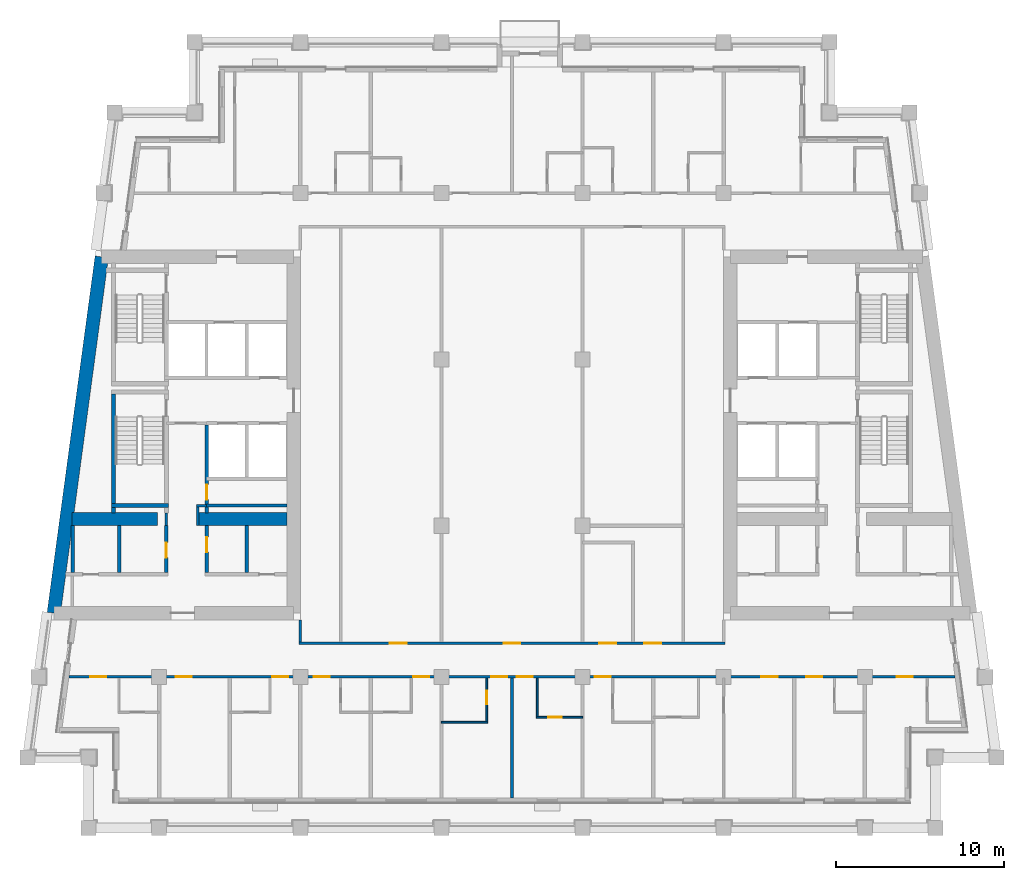
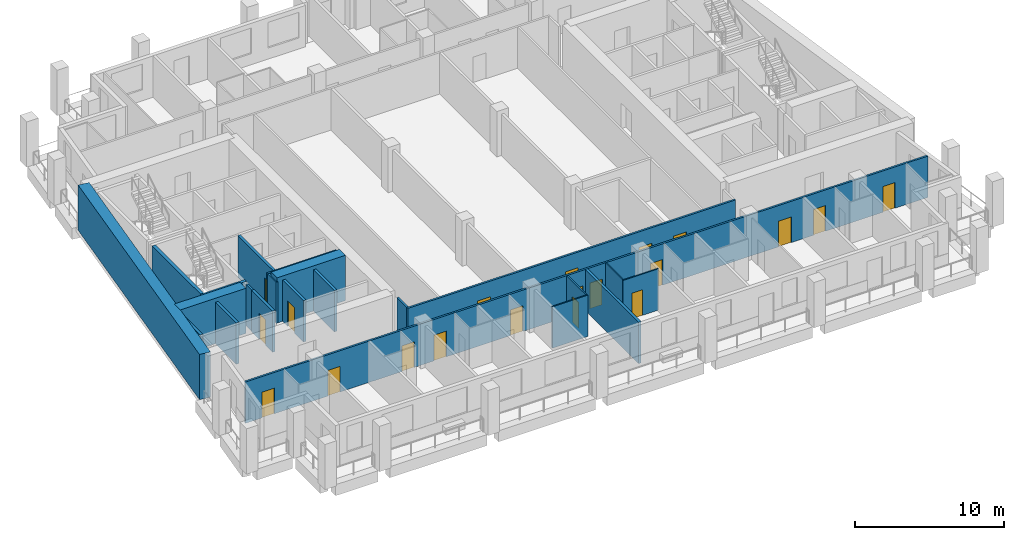
# One storey, part 3 of 13: 23 walls, 20 doors, 20 openings.
"""IFC4 building model written with IfcOpenShell, lengths in metres."""

from ifc_helpers import new_model, si_unit, direction, frame, frame_2d, origin, place, context, subcontext, project, spatial, rectangle, extrude, material, layer, layer_set, type_object, element, fill, save


model = new_model("IFC4")

# Units and contexts
model_context = context("Model", 3, precision=1e-05, world=origin(), true_north=direction((0.0, 1.0)))
body_context = subcontext(model_context, "Body", "Model", "MODEL_VIEW")
ifc_project = project(units=[si_unit("LENGTHUNIT", "METRE"), si_unit("AREAUNIT", "SQUARE_METRE"), si_unit("VOLUMEUNIT", "CUBIC_METRE"), si_unit("PLANEANGLEUNIT", "RADIAN"), si_unit("MASSUNIT", "GRAM", prefix="KILO")], contexts=[model_context])

# Site, building, storey
site_placement = place(None, origin())
site = spatial("IfcSite", under=ifc_project, at=site_placement, CompositionType="ELEMENT")
building_placement = place(site_placement, origin())
building = spatial("IfcBuilding", under=site, at=building_placement, Name="Candeia Pilgrim Tower and Theatre", CompositionType="ELEMENT")
storey_placement = place(building_placement, frame((0.0, 0.0, 205.89990234375)))
storey = spatial("IfcBuildingStorey", under=building, at=storey_placement, Name="L49", CompositionType="ELEMENT", Elevation=205.89990234375)

# Walls
ifc_material_1 = material(Name="Concrete C50/60", Category="concrete")
ifc_layer_1 = layer(ifc_material_1, 0.800048828125)
ifc_layer_set_1 = layer_set([ifc_layer_1], Name="Core wall 800 C50/60")
wall_type_1 = type_object("IfcWallType", Name="Core wall 800 C50/60", PredefinedType="SHEAR", material=ifc_layer_set_1)
wall_1_placement = place(storey_placement, frame((86.126708984375, 110.800048828125, 0.0), z_axis=(0.0, 0.0, 1.0), x_axis=(0.133408347329, 0.991061154956, 0.0)))
element("IfcWall", 1, at=wall_1_placement, inside=storey, type_object=wall_type_1, Name="Core wall W4", PredefinedType="SHEAR", context=body_context, shape_type="SweptSolid", body=[
    extrude(rectangle(XDim=21.39111328125, YDim=0.800048828125, at=frame_2d((10.695556640625, 0.0))), origin(), (0.0, 0.0, 1.0), 3.7001953125),
])
wall_2_placement = place(storey_placement, frame((87.22314453125, 116.39990234375, 0.0), z_axis=(0.0, 0.0, 1.0), x_axis=(1.0, 0.0, 0.0)))
element("IfcWall", 2, at=wall_2_placement, inside=storey, type_object=wall_type_1, Name="Core wall W5", PredefinedType="SHEAR", context=body_context, shape_type="SweptSolid", body=[
    extrude(rectangle(XDim=5.076904296875, YDim=0.800048828125, at=frame_2d((2.53857421875, 0.0))), origin(), (0.0, 0.0, 1.0), 3.7001953125),
])
wall_3_placement = place(storey_placement, frame((94.699951171875, 116.39990234375, 0.0), z_axis=(0.0, 0.0, 1.0), x_axis=(1.0, 0.0, 0.0)))
element("IfcWall", 3, at=wall_3_placement, inside=storey, type_object=wall_type_1, Name="Core wall W6", PredefinedType="SHEAR", context=body_context, shape_type="SweptSolid", body=[
    extrude(rectangle(XDim=5.300048828125, YDim=0.800048828125, at=frame_2d((2.64990234375, 0.0))), origin(), (0.0, 0.0, 1.0), 3.7001953125),
])
ifc_material_2 = material(Name="Gypsum board partition on steel studs", Category="steel")
ifc_layer_2 = layer(ifc_material_2, 0.10009765625)
ifc_layer_set_2 = layer_set([ifc_layer_2], Name="PW-100 room partition")
wall_type_2 = type_object("IfcWallType", Name="PW-100 room partition", PredefinedType="PARTITIONING", material=ifc_layer_set_2)
wall_4_placement = place(storey_placement, frame((109.199951171875, 104.300048828125, 0.0), z_axis=(0.0, 0.0, 1.0), x_axis=(1.0, 0.0, 0.0)))
element("IfcWall", 4, at=wall_4_placement, inside=storey, type_object=wall_type_2, Name="Room partition L49-001", PredefinedType="PARTITIONING", context=body_context, shape_type="SweptSolid", body=[
    extrude(rectangle(XDim=2.75, YDim=0.10009765625, at=frame_2d((1.375, 0.0))), origin(), (0.0, 0.0, 1.0), 3.380126953125),
])

# Wall, opening, door
wall_5_placement = place(storey_placement, frame((114.85009765625, 104.60009765625, 0.0), z_axis=(0.0, 0.0, 1.0), x_axis=(1.0, 0.0, 0.0)))
wall_5 = element("IfcWall", 5, at=wall_5_placement, inside=storey, type_object=wall_type_2, Name="Room partition L49-004", PredefinedType="PARTITIONING", context=body_context, shape_type="SweptSolid", body=[
    extrude(rectangle(XDim=2.75, YDim=0.10009765625, at=frame_2d((1.375, 0.0))), origin(), (0.0, 0.0, 1.0), 3.380126953125),
])
opening_1_placement = place(wall_5_placement, frame((0.699951171875, 0.0, 0.0)))
opening_1 = element("IfcOpeningElement", 6, at=opening_1_placement, cuts=wall_5, Name="Opening L49-D029", PredefinedType="OPENING", context=body_context, shape_type="SweptSolid", body=[
    extrude(rectangle(XDim=0.800048828125, YDim=2.10009765625, at=frame_2d((0.39990234375, 1.050048828125))), frame((0.0, 0.06005859375, 0.0), z_axis=(0.0, -1.0, 0.0), x_axis=(1.0, 0.0, 0.0)), (0.0, 0.0, 1.0), 0.1201171875),
])
ifc_material_3 = material(Name="Timber door leaf", Category="wood")
door_type_1 = type_object("IfcDoorType", Name="D-800", OperationType="NOTDEFINED", PredefinedType="DOOR", material=ifc_material_3)
door_1_placement = place(opening_1_placement, origin())
door_1 = element("IfcDoor", 7, at=door_1_placement, inside=storey, type_object=door_type_1, Name="Door L49-D029", OperationType="SINGLE_SWING_RIGHT", OverallHeight=2.10009765625, OverallWidth=0.800048828125, PredefinedType="DOOR", context=body_context, shape_type="SweptSolid", body=[
    extrude(rectangle(XDim=0.800048828125, YDim=2.10009765625, at=frame_2d((0.39990234375, 1.050048828125))), frame((0.0, 0.02490234375, 0.0), z_axis=(0.0, -1.0, 0.0), x_axis=(1.0, 0.0, 0.0)), (0.0, 0.0, 1.0), 0.050048828125),
])
fill(opening_1, door_1)

wall_6_placement = place(storey_placement, frame((111.89990234375, 104.35009765625, 0.0), z_axis=(0.0, 0.0, 1.0), x_axis=(0.0, 1.0, 0.0)))
wall_6 = element("IfcWall", 8, at=wall_6_placement, inside=storey, type_object=wall_type_2, Name="Room partition L49-087", PredefinedType="PARTITIONING", context=body_context, shape_type="SweptSolid", body=[
    extrude(rectangle(XDim=2.574951171875, YDim=0.10009765625, at=frame_2d((1.28759765625, 0.0))), origin(), (0.0, 0.0, 1.0), 3.380126953125),
])
opening_2_placement = place(wall_6_placement, frame((1.02001953125, 0.0, 0.0)))
opening_2 = element("IfcOpeningElement", 9, at=opening_2_placement, cuts=wall_6, Name="Opening L49-D027", PredefinedType="OPENING", context=body_context, shape_type="SweptSolid", body=[
    extrude(rectangle(XDim=0.800048828125, YDim=2.10009765625, at=frame_2d((0.39990234375, 1.050048828125))), frame((0.0, 0.06005859375, 0.0), z_axis=(0.0, -1.0, 0.0), x_axis=(1.0, 0.0, 0.0)), (0.0, 0.0, 1.0), 0.1201171875),
])
door_2_placement = place(opening_2_placement, origin())
door_2 = element("IfcDoor", 10, at=door_2_placement, inside=storey, type_object=door_type_1, Name="Door L49-D027", OperationType="SINGLE_SWING_RIGHT", OverallHeight=2.10009765625, OverallWidth=0.800048828125, PredefinedType="DOOR", context=body_context, shape_type="SweptSolid", body=[
    extrude(rectangle(XDim=0.800048828125, YDim=2.10009765625, at=frame_2d((0.39990234375, 1.050048828125))), frame((0.0, 0.02490234375, 0.0), z_axis=(0.0, -1.0, 0.0), x_axis=(1.0, 0.0, 0.0)), (0.0, 0.0, 1.0), 0.050048828125),
])
fill(opening_2, door_2)

# Walls
wall_7_placement = place(storey_placement, frame((114.89990234375, 104.64990234375, 0.0), z_axis=(0.0, 0.0, 1.0), x_axis=(0.0, 1.0, 0.0)))
element("IfcWall", 11, at=wall_7_placement, inside=storey, type_object=wall_type_2, Name="Room partition L49-090", PredefinedType="PARTITIONING", context=body_context, shape_type="SweptSolid", body=[
    extrude(rectangle(XDim=2.275146484375, YDim=0.10009765625, at=frame_2d((1.1376953125, 0.0))), origin(), (0.0, 0.0, 1.0), 3.380126953125),
])
ifc_layer_3 = layer(ifc_material_2, 0.14990234375)
ifc_layer_set_3 = layer_set([ifc_layer_3], Name="PW-150 lobby wall")
wall_type_3 = type_object("IfcWallType", Name="PW-150 lobby wall", PredefinedType="PARTITIONING", material=ifc_layer_set_3)
wall_8_placement = place(storey_placement, frame((94.625, 117.199951171875, 0.0), z_axis=(0.0, 0.0, 1.0), x_axis=(1.0, 0.0, 0.0)))
element("IfcWall", 12, at=wall_8_placement, inside=storey, type_object=wall_type_3, Name="Lobby wall L49-020", PredefinedType="PARTITIONING", context=body_context, shape_type="SweptSolid", body=[
    extrude(rectangle(XDim=0.60205078125, YDim=0.14990234375, at=frame_2d((0.301025390625, 0.0))), origin(), (0.0, 0.0, 1.0), 3.380126953125),
])
wall_9_placement = place(storey_placement, frame((92.826904296875, 116.0, 0.0), z_axis=(0.0, 0.0, 1.0), x_axis=(0.0, 1.0, 0.0)))
element("IfcWall", 13, at=wall_9_placement, inside=storey, type_object=wall_type_3, Name="Lobby wall L49-059", PredefinedType="PARTITIONING", context=body_context, shape_type="SweptSolid", body=[
    extrude(rectangle(XDim=0.77001953125, YDim=0.14990234375, at=frame_2d((0.385009765625, 0.0))), origin(), (0.0, 0.0, 1.0), 3.380126953125),
])
wall_10_placement = place(storey_placement, frame((94.699951171875, 116.0, 0.0), z_axis=(0.0, 0.0, 1.0), x_axis=(0.0, 1.0, 0.0)))
element("IfcWall", 14, at=wall_10_placement, inside=storey, type_object=wall_type_3, Name="Lobby wall L49-064", PredefinedType="PARTITIONING", context=body_context, shape_type="SweptSolid", body=[
    extrude(rectangle(XDim=1.125, YDim=0.14990234375, at=frame_2d((0.5625, 0.0))), origin(), (0.0, 0.0, 1.0), 3.380126953125),
])

# Wall, openings, doors
ifc_layer_4 = layer(ifc_material_2, 0.14990234375)
ifc_layer_set_4 = layer_set([ifc_layer_4], Name="PW-150 unit wall")
wall_type_4 = type_object("IfcWallType", Name="PW-150 unit wall", PredefinedType="PARTITIONING", material=ifc_layer_set_4)
wall_11_placement = place(storey_placement, frame((87.017578125, 107.0, 0.0), z_axis=(0.0, 0.0, 1.0), x_axis=(1.0, 0.0, 0.0)))
wall_11 = element("IfcWall", 15, at=wall_11_placement, inside=storey, type_object=wall_type_4, Name="Unit wall L49-010", PredefinedType="PARTITIONING", context=body_context, shape_type="SweptSolid", body=[
    extrude(rectangle(XDim=52.7646484375, YDim=0.14990234375, at=frame_2d((26.38232421875, 0.0))), origin(), (0.0, 0.0, 1.0), 3.380126953125),
])
opening_3_placement = place(wall_11_placement, frame((1.2763671875, 0.0, 0.0)))
opening_3 = element("IfcOpeningElement", 16, at=opening_3_placement, cuts=wall_11, Name="Opening L49-D017", PredefinedType="OPENING", context=body_context, shape_type="SweptSolid", body=[
    extrude(rectangle(XDim=0.949951171875, YDim=2.10009765625, at=frame_2d((0.47509765625, 1.050048828125))), frame((0.0, 0.0849609375, 0.0), z_axis=(0.0, -1.0, 0.0), x_axis=(1.0, 0.0, 0.0)), (0.0, 0.0, 1.0), 0.169921875),
])
opening_4_placement = place(wall_11_placement, frame((6.369384765625, 0.0, 0.0)))
opening_4 = element("IfcOpeningElement", 17, at=opening_4_placement, cuts=wall_11, Name="Opening L49-D019", PredefinedType="OPENING", context=body_context, shape_type="SweptSolid", body=[
    extrude(rectangle(XDim=0.949951171875, YDim=2.10009765625, at=frame_2d((0.47509765625, 1.050048828125))), frame((0.0, 0.0849609375, 0.0), z_axis=(0.0, -1.0, 0.0), x_axis=(1.0, 0.0, 0.0)), (0.0, 0.0, 1.0), 0.169921875),
])
opening_5_placement = place(wall_11_placement, frame((12.1123046875, 0.0, 0.0)))
opening_5 = element("IfcOpeningElement", 18, at=opening_5_placement, cuts=wall_11, Name="Opening L49-D020", PredefinedType="OPENING", context=body_context, shape_type="SweptSolid", body=[
    extrude(rectangle(XDim=0.949951171875, YDim=2.10009765625, at=frame_2d((0.47509765625, 1.050048828125))), frame((0.0, 0.0849609375, 0.0), z_axis=(0.0, -1.0, 0.0), x_axis=(1.0, 0.0, 0.0)), (0.0, 0.0, 1.0), 0.169921875),
])
opening_6_placement = place(wall_11_placement, frame((14.582275390625, 0.0, 0.0)))
opening_6 = element("IfcOpeningElement", 19, at=opening_6_placement, cuts=wall_11, Name="Opening L49-D022", PredefinedType="OPENING", context=body_context, shape_type="SweptSolid", body=[
    extrude(rectangle(XDim=0.949951171875, YDim=2.10009765625, at=frame_2d((0.47509765625, 1.050048828125))), frame((0.0, 0.0849609375, 0.0), z_axis=(0.0, -1.0, 0.0), x_axis=(1.0, 0.0, 0.0)), (0.0, 0.0, 1.0), 0.169921875),
])
opening_7_placement = place(wall_11_placement, frame((20.51220703125, 0.0, 0.0)))
opening_7 = element("IfcOpeningElement", 20, at=opening_7_placement, cuts=wall_11, Name="Opening L49-D024", PredefinedType="OPENING", context=body_context, shape_type="SweptSolid", body=[
    extrude(rectangle(XDim=0.949951171875, YDim=2.10009765625, at=frame_2d((0.47509765625, 1.050048828125))), frame((0.0, 0.0849609375, 0.0), z_axis=(0.0, -1.0, 0.0), x_axis=(1.0, 0.0, 0.0)), (0.0, 0.0, 1.0), 0.169921875),
])
opening_8_placement = place(wall_11_placement, frame((25.1572265625, 0.0, 0.0)))
opening_8 = element("IfcOpeningElement", 21, at=opening_8_placement, cuts=wall_11, Name="Opening L49-D026", PredefinedType="OPENING", context=body_context, shape_type="SweptSolid", body=[
    extrude(rectangle(XDim=0.949951171875, YDim=2.10009765625, at=frame_2d((0.47509765625, 1.050048828125))), frame((0.0, 0.0849609375, 0.0), z_axis=(0.0, -1.0, 0.0), x_axis=(1.0, 0.0, 0.0)), (0.0, 0.0, 1.0), 0.169921875),
])
opening_9_placement = place(wall_11_placement, frame((26.6572265625, 0.0, 0.0)))
opening_9 = element("IfcOpeningElement", 22, at=opening_9_placement, cuts=wall_11, Name="Opening L49-D028", PredefinedType="OPENING", context=body_context, shape_type="SweptSolid", body=[
    extrude(rectangle(XDim=0.949951171875, YDim=2.10009765625, at=frame_2d((0.47509765625, 1.050048828125))), frame((0.0, 0.0849609375, 0.0), z_axis=(0.0, -1.0, 0.0), x_axis=(1.0, 0.0, 0.0)), (0.0, 0.0, 1.0), 0.169921875),
])
opening_10_placement = place(wall_11_placement, frame((31.30224609375, 0.0, 0.0)))
opening_10 = element("IfcOpeningElement", 23, at=opening_10_placement, cuts=wall_11, Name="Opening L49-D030", PredefinedType="OPENING", context=body_context, shape_type="SweptSolid", body=[
    extrude(rectangle(XDim=0.949951171875, YDim=2.10009765625, at=frame_2d((0.47509765625, 1.050048828125))), frame((0.0, 0.0849609375, 0.0), z_axis=(0.0, -1.0, 0.0), x_axis=(1.0, 0.0, 0.0)), (0.0, 0.0, 1.0), 0.169921875),
])
opening_11_placement = place(wall_11_placement, frame((41.207275390625, 0.0, 0.0)))
opening_11 = element("IfcOpeningElement", 24, at=opening_11_placement, cuts=wall_11, Name="Opening L49-D032", PredefinedType="OPENING", context=body_context, shape_type="SweptSolid", body=[
    extrude(rectangle(XDim=1.0, YDim=2.10009765625, at=frame_2d((0.5, 1.050048828125))), frame((0.0, 0.0849609375, 0.0), z_axis=(0.0, -1.0, 0.0), x_axis=(1.0, 0.0, 0.0)), (0.0, 0.0, 1.0), 0.169921875),
])
opening_12_placement = place(wall_11_placement, frame((43.9072265625, 0.0, 0.0)))
opening_12 = element("IfcOpeningElement", 25, at=opening_12_placement, cuts=wall_11, Name="Opening L49-D035", PredefinedType="OPENING", context=body_context, shape_type="SweptSolid", body=[
    extrude(rectangle(XDim=0.949951171875, YDim=2.10009765625, at=frame_2d((0.47509765625, 1.050048828125))), frame((0.0, 0.0849609375, 0.0), z_axis=(0.0, -1.0, 0.0), x_axis=(1.0, 0.0, 0.0)), (0.0, 0.0, 1.0), 0.169921875),
])
opening_13_placement = place(wall_11_placement, frame((49.285400390625, 0.0, 0.0)))
opening_13 = element("IfcOpeningElement", 26, at=opening_13_placement, cuts=wall_11, Name="Opening L49-D037", PredefinedType="OPENING", context=body_context, shape_type="SweptSolid", body=[
    extrude(rectangle(XDim=0.949951171875, YDim=2.10009765625, at=frame_2d((0.47509765625, 1.050048828125))), frame((0.0, 0.0849609375, 0.0), z_axis=(0.0, -1.0, 0.0), x_axis=(1.0, 0.0, 0.0)), (0.0, 0.0, 1.0), 0.169921875),
])
ifc_material_4 = material(Name="Steel fire door set", Category="steel")
door_type_2 = type_object("IfcDoorType", Name="D-1000-FD30S", OperationType="NOTDEFINED", PredefinedType="DOOR", material=ifc_material_4)
door_3_placement = place(opening_11_placement, origin())
door_3 = element("IfcDoor", 27, at=door_3_placement, inside=storey, type_object=door_type_2, Name="Door L49-D032", OperationType="SINGLE_SWING_LEFT", OverallHeight=2.10009765625, OverallWidth=1.0, PredefinedType="DOOR", context=body_context, shape_type="SweptSolid", body=[
    extrude(rectangle(XDim=1.0, YDim=2.10009765625, at=frame_2d((0.5, 1.050048828125))), frame((0.0, 0.02490234375, 0.0), z_axis=(0.0, -1.0, 0.0), x_axis=(1.0, 0.0, 0.0)), (0.0, 0.0, 1.0), 0.050048828125),
])
fill(opening_11, door_3)
door_type_3 = type_object("IfcDoorType", Name="D-950-FD30S", OperationType="NOTDEFINED", PredefinedType="DOOR", material=ifc_material_4)
door_4_placement = place(opening_3_placement, origin())
door_4 = element("IfcDoor", 28, at=door_4_placement, inside=storey, type_object=door_type_3, Name="Door L49-D017", OperationType="SINGLE_SWING_RIGHT", OverallHeight=2.10009765625, OverallWidth=0.949951171875, PredefinedType="DOOR", context=body_context, shape_type="SweptSolid", body=[
    extrude(rectangle(XDim=0.949951171875, YDim=2.10009765625, at=frame_2d((0.47509765625, 1.050048828125))), frame((0.0, 0.02490234375, 0.0), z_axis=(0.0, -1.0, 0.0), x_axis=(1.0, 0.0, 0.0)), (0.0, 0.0, 1.0), 0.050048828125),
])
fill(opening_3, door_4)
door_5_placement = place(opening_4_placement, origin())
door_5 = element("IfcDoor", 29, at=door_5_placement, inside=storey, type_object=door_type_3, Name="Door L49-D019", OperationType="SINGLE_SWING_RIGHT", OverallHeight=2.10009765625, OverallWidth=0.949951171875, PredefinedType="DOOR", context=body_context, shape_type="SweptSolid", body=[
    extrude(rectangle(XDim=0.949951171875, YDim=2.10009765625, at=frame_2d((0.47509765625, 1.050048828125))), frame((0.0, 0.02490234375, 0.0), z_axis=(0.0, -1.0, 0.0), x_axis=(1.0, 0.0, 0.0)), (0.0, 0.0, 1.0), 0.050048828125),
])
fill(opening_4, door_5)
door_6_placement = place(opening_5_placement, origin())
door_6 = element("IfcDoor", 30, at=door_6_placement, inside=storey, type_object=door_type_3, Name="Door L49-D020", OperationType="SINGLE_SWING_LEFT", OverallHeight=2.10009765625, OverallWidth=0.949951171875, PredefinedType="DOOR", context=body_context, shape_type="SweptSolid", body=[
    extrude(rectangle(XDim=0.949951171875, YDim=2.10009765625, at=frame_2d((0.47509765625, 1.050048828125))), frame((0.0, 0.02490234375, 0.0), z_axis=(0.0, -1.0, 0.0), x_axis=(1.0, 0.0, 0.0)), (0.0, 0.0, 1.0), 0.050048828125),
])
fill(opening_5, door_6)
door_7_placement = place(opening_6_placement, origin())
door_7 = element("IfcDoor", 31, at=door_7_placement, inside=storey, type_object=door_type_3, Name="Door L49-D022", OperationType="SINGLE_SWING_LEFT", OverallHeight=2.10009765625, OverallWidth=0.949951171875, PredefinedType="DOOR", context=body_context, shape_type="SweptSolid", body=[
    extrude(rectangle(XDim=0.949951171875, YDim=2.10009765625, at=frame_2d((0.47509765625, 1.050048828125))), frame((0.0, 0.02490234375, 0.0), z_axis=(0.0, -1.0, 0.0), x_axis=(1.0, 0.0, 0.0)), (0.0, 0.0, 1.0), 0.050048828125),
])
fill(opening_6, door_7)
door_8_placement = place(opening_7_placement, origin())
door_8 = element("IfcDoor", 32, at=door_8_placement, inside=storey, type_object=door_type_3, Name="Door L49-D024", OperationType="SINGLE_SWING_LEFT", OverallHeight=2.10009765625, OverallWidth=0.949951171875, PredefinedType="DOOR", context=body_context, shape_type="SweptSolid", body=[
    extrude(rectangle(XDim=0.949951171875, YDim=2.10009765625, at=frame_2d((0.47509765625, 1.050048828125))), frame((0.0, 0.02490234375, 0.0), z_axis=(0.0, -1.0, 0.0), x_axis=(1.0, 0.0, 0.0)), (0.0, 0.0, 1.0), 0.050048828125),
])
fill(opening_7, door_8)
door_9_placement = place(opening_8_placement, origin())
door_9 = element("IfcDoor", 33, at=door_9_placement, inside=storey, type_object=door_type_3, Name="Door L49-D026", OperationType="SINGLE_SWING_LEFT", OverallHeight=2.10009765625, OverallWidth=0.949951171875, PredefinedType="DOOR", context=body_context, shape_type="SweptSolid", body=[
    extrude(rectangle(XDim=0.949951171875, YDim=2.10009765625, at=frame_2d((0.47509765625, 1.050048828125))), frame((0.0, 0.02490234375, 0.0), z_axis=(0.0, -1.0, 0.0), x_axis=(1.0, 0.0, 0.0)), (0.0, 0.0, 1.0), 0.050048828125),
])
fill(opening_8, door_9)
door_10_placement = place(opening_9_placement, origin())
door_10 = element("IfcDoor", 34, at=door_10_placement, inside=storey, type_object=door_type_3, Name="Door L49-D028", OperationType="SINGLE_SWING_LEFT", OverallHeight=2.10009765625, OverallWidth=0.949951171875, PredefinedType="DOOR", context=body_context, shape_type="SweptSolid", body=[
    extrude(rectangle(XDim=0.949951171875, YDim=2.10009765625, at=frame_2d((0.47509765625, 1.050048828125))), frame((0.0, 0.02490234375, 0.0), z_axis=(0.0, -1.0, 0.0), x_axis=(1.0, 0.0, 0.0)), (0.0, 0.0, 1.0), 0.050048828125),
])
fill(opening_9, door_10)
door_11_placement = place(opening_10_placement, origin())
door_11 = element("IfcDoor", 35, at=door_11_placement, inside=storey, type_object=door_type_3, Name="Door L49-D030", OperationType="SINGLE_SWING_LEFT", OverallHeight=2.10009765625, OverallWidth=0.949951171875, PredefinedType="DOOR", context=body_context, shape_type="SweptSolid", body=[
    extrude(rectangle(XDim=0.949951171875, YDim=2.10009765625, at=frame_2d((0.47509765625, 1.050048828125))), frame((0.0, 0.02490234375, 0.0), z_axis=(0.0, -1.0, 0.0), x_axis=(1.0, 0.0, 0.0)), (0.0, 0.0, 1.0), 0.050048828125),
])
fill(opening_10, door_11)
door_12_placement = place(opening_12_placement, origin())
door_12 = element("IfcDoor", 36, at=door_12_placement, inside=storey, type_object=door_type_3, Name="Door L49-D035", OperationType="SINGLE_SWING_RIGHT", OverallHeight=2.10009765625, OverallWidth=0.949951171875, PredefinedType="DOOR", context=body_context, shape_type="SweptSolid", body=[
    extrude(rectangle(XDim=0.949951171875, YDim=2.10009765625, at=frame_2d((0.47509765625, 1.050048828125))), frame((0.0, 0.02490234375, 0.0), z_axis=(0.0, -1.0, 0.0), x_axis=(1.0, 0.0, 0.0)), (0.0, 0.0, 1.0), 0.050048828125),
])
fill(opening_12, door_12)
door_13_placement = place(opening_13_placement, origin())
door_13 = element("IfcDoor", 37, at=door_13_placement, inside=storey, type_object=door_type_3, Name="Door L49-D037", OperationType="SINGLE_SWING_RIGHT", OverallHeight=2.10009765625, OverallWidth=0.949951171875, PredefinedType="DOOR", context=body_context, shape_type="SweptSolid", body=[
    extrude(rectangle(XDim=0.949951171875, YDim=2.10009765625, at=frame_2d((0.47509765625, 1.050048828125))), frame((0.0, 0.02490234375, 0.0), z_axis=(0.0, -1.0, 0.0), x_axis=(1.0, 0.0, 0.0)), (0.0, 0.0, 1.0), 0.050048828125),
])
fill(opening_13, door_13)

wall_12_placement = place(storey_placement, frame((100.72509765625, 109.0, 0.0), z_axis=(0.0, 0.0, 1.0), x_axis=(1.0, 0.0, 0.0)))
wall_12 = element("IfcWall", 38, at=wall_12_placement, inside=storey, type_object=wall_type_4, Name="Unit wall L49-011", PredefinedType="PARTITIONING", context=body_context, shape_type="SweptSolid", body=[
    extrude(rectangle(XDim=25.349853515625, YDim=0.14990234375, at=frame_2d((12.6748046875, 0.0))), origin(), (0.0, 0.0, 1.0), 3.380126953125),
])
opening_14_placement = place(wall_12_placement, frame((20.550048828125, 0.0, 0.0)))
opening_14 = element("IfcOpeningElement", 39, at=opening_14_placement, cuts=wall_12, Name="Opening L49-D055", PredefinedType="OPENING", context=body_context, shape_type="SweptSolid", body=[
    extrude(rectangle(XDim=1.0, YDim=2.10009765625, at=frame_2d((0.5, 1.050048828125))), frame((0.0, 0.0849609375, 0.0), z_axis=(0.0, -1.0, 0.0), x_axis=(1.0, 0.0, 0.0)), (0.0, 0.0, 1.0), 0.169921875),
])
opening_15_placement = place(wall_12_placement, frame((5.405029296875, 0.0, 0.0)))
opening_15 = element("IfcOpeningElement", 40, at=opening_15_placement, cuts=wall_12, Name="Opening L49-D056", PredefinedType="OPENING", context=body_context, shape_type="SweptSolid", body=[
    extrude(rectangle(XDim=1.0, YDim=2.10009765625, at=frame_2d((0.5, 1.050048828125))), frame((0.0, 0.0849609375, 0.0), z_axis=(0.0, -1.0, 0.0), x_axis=(1.0, 0.0, 0.0)), (0.0, 0.0, 1.0), 0.169921875),
])
opening_16_placement = place(wall_12_placement, frame((12.175048828125, 0.0, 0.0)))
opening_16 = element("IfcOpeningElement", 41, at=opening_16_placement, cuts=wall_12, Name="Opening L49-D057", PredefinedType="OPENING", context=body_context, shape_type="SweptSolid", body=[
    extrude(rectangle(XDim=1.0, YDim=2.10009765625, at=frame_2d((0.5, 1.050048828125))), frame((0.0, 0.0849609375, 0.0), z_axis=(0.0, -1.0, 0.0), x_axis=(1.0, 0.0, 0.0)), (0.0, 0.0, 1.0), 0.169921875),
])
opening_17_placement = place(wall_12_placement, frame((17.875, 0.0, 0.0)))
opening_17 = element("IfcOpeningElement", 42, at=opening_17_placement, cuts=wall_12, Name="Opening L49-D058", PredefinedType="OPENING", context=body_context, shape_type="SweptSolid", body=[
    extrude(rectangle(XDim=1.0, YDim=2.10009765625, at=frame_2d((0.5, 1.050048828125))), frame((0.0, 0.0849609375, 0.0), z_axis=(0.0, -1.0, 0.0), x_axis=(1.0, 0.0, 0.0)), (0.0, 0.0, 1.0), 0.169921875),
])
door_14_placement = place(opening_14_placement, origin())
door_14 = element("IfcDoor", 43, at=door_14_placement, inside=storey, type_object=door_type_2, Name="Door L49-D055", OperationType="SINGLE_SWING_RIGHT", OverallHeight=2.10009765625, OverallWidth=1.0, PredefinedType="DOOR", context=body_context, shape_type="SweptSolid", body=[
    extrude(rectangle(XDim=1.0, YDim=2.10009765625, at=frame_2d((0.5, 1.050048828125))), frame((0.0, 0.02490234375, 0.0), z_axis=(0.0, -1.0, 0.0), x_axis=(1.0, 0.0, 0.0)), (0.0, 0.0, 1.0), 0.050048828125),
])
fill(opening_14, door_14)
door_15_placement = place(opening_15_placement, origin())
door_15 = element("IfcDoor", 44, at=door_15_placement, inside=storey, type_object=door_type_2, Name="Door L49-D056", OperationType="SINGLE_SWING_LEFT", OverallHeight=2.10009765625, OverallWidth=1.0, PredefinedType="DOOR", context=body_context, shape_type="SweptSolid", body=[
    extrude(rectangle(XDim=1.0, YDim=2.10009765625, at=frame_2d((0.5, 1.050048828125))), frame((0.0, 0.02490234375, 0.0), z_axis=(0.0, -1.0, 0.0), x_axis=(1.0, 0.0, 0.0)), (0.0, 0.0, 1.0), 0.050048828125),
])
fill(opening_15, door_15)
door_16_placement = place(opening_16_placement, origin())
door_16 = element("IfcDoor", 45, at=door_16_placement, inside=storey, type_object=door_type_2, Name="Door L49-D057", OperationType="SINGLE_SWING_RIGHT", OverallHeight=2.10009765625, OverallWidth=1.0, PredefinedType="DOOR", context=body_context, shape_type="SweptSolid", body=[
    extrude(rectangle(XDim=1.0, YDim=2.10009765625, at=frame_2d((0.5, 1.050048828125))), frame((0.0, 0.02490234375, 0.0), z_axis=(0.0, -1.0, 0.0), x_axis=(1.0, 0.0, 0.0)), (0.0, 0.0, 1.0), 0.050048828125),
])
fill(opening_16, door_16)
door_17_placement = place(opening_17_placement, origin())
door_17 = element("IfcDoor", 46, at=door_17_placement, inside=storey, type_object=door_type_2, Name="Door L49-D058", OperationType="SINGLE_SWING_LEFT", OverallHeight=2.10009765625, OverallWidth=1.0, PredefinedType="DOOR", context=body_context, shape_type="SweptSolid", body=[
    extrude(rectangle(XDim=1.0, YDim=2.10009765625, at=frame_2d((0.5, 1.050048828125))), frame((0.0, 0.02490234375, 0.0), z_axis=(0.0, -1.0, 0.0), x_axis=(1.0, 0.0, 0.0)), (0.0, 0.0, 1.0), 0.050048828125),
])
fill(opening_17, door_17)

# Walls
wall_13_placement = place(storey_placement, frame((100.800048828125, 109.074951171875, 0.0), z_axis=(0.0, 0.0, 1.0), x_axis=(0.0, 1.0, 0.0)))
element("IfcWall", 47, at=wall_13_placement, inside=storey, type_object=wall_type_4, Name="Unit wall L49-076", PredefinedType="PARTITIONING", context=body_context, shape_type="SweptSolid", body=[
    extrude(rectangle(XDim=1.324951171875, YDim=0.14990234375, at=frame_2d((0.66259765625, 0.0))), origin(), (0.0, 0.0, 1.0), 3.380126953125),
])
ifc_layer_5 = layer(ifc_material_2, 0.199951171875)
ifc_layer_set_5 = layer_set([ifc_layer_5], Name="PW-200 party wall")
wall_type_5 = type_object("IfcWallType", Name="PW-200 party wall", PredefinedType="PARTITIONING", material=ifc_layer_set_5)
wall_14_placement = place(storey_placement, frame((113.39990234375, 99.7900390625, 0.0), z_axis=(0.0, 0.0, 1.0), x_axis=(0.0, 1.0, 0.0)))
element("IfcWall", 48, at=wall_14_placement, inside=storey, type_object=wall_type_5, Name="Party wall L49-088", PredefinedType="PARTITIONING", context=body_context, shape_type="SweptSolid", body=[
    extrude(rectangle(XDim=7.135009765625, YDim=0.199951171875, at=frame_2d((3.5673828125, 0.0))), origin(), (0.0, 0.0, 1.0), 3.380126953125),
])
ifc_material_5 = material(Name="Concrete C40/50", Category="concrete")
ifc_layer_6 = layer(ifc_material_5, 0.199951171875)
ifc_layer_set_6 = layer_set([ifc_layer_6], Name="SW-200 shaft wall")
wall_type_6 = type_object("IfcWallType", Name="SW-200 shaft wall", PredefinedType="PARTITIONING", material=ifc_layer_set_6)
wall_15_placement = place(storey_placement, frame((95.22705078125, 117.199951171875, 0.0), z_axis=(0.0, 0.0, 1.0), x_axis=(1.0, 0.0, 0.0)))
element("IfcWall", 49, at=wall_15_placement, inside=storey, type_object=wall_type_6, Name="Shaft wall L49-018", PredefinedType="PARTITIONING", context=body_context, shape_type="SweptSolid", body=[
    extrude(rectangle(XDim=4.77294921875, YDim=0.199951171875, at=frame_2d((2.386474609375, 0.0))), origin(), (0.0, 0.0, 1.0), 3.380126953125),
])
for number, where, z_axis, x_axis, name in (
    (50, (87.24951171875, 113.199951171875, 0.0), (0.0, 0.0, 1.0), (0.0, 1.0, 0.0), "Shaft wall L49-051"),
    (51, (90.027099609375, 113.199951171875, 0.0), (0.0, 0.0, 1.0), (0.0, 1.0, 0.0), "Shaft wall L49-056"),
):
    element("IfcWall", number, at=place(storey_placement, frame(where, z_axis=z_axis, x_axis=x_axis)), inside=storey, type_object=wall_type_6, Name=name, PredefinedType="PARTITIONING", context=body_context, shape_type="SweptSolid", body=[
        extrude(rectangle(XDim=2.800048828125, YDim=0.199951171875, at=frame_2d((1.39990234375, 0.0))), origin(), (0.0, 0.0, 1.0), 3.380126953125),
    ])

# Wall, opening, door
wall_16_placement = place(storey_placement, frame((92.826904296875, 113.199951171875, 0.0), z_axis=(0.0, 0.0, 1.0), x_axis=(0.0, 1.0, 0.0)))
wall_16 = element("IfcWall", 52, at=wall_16_placement, inside=storey, type_object=wall_type_6, Name="Shaft wall L49-058", PredefinedType="PARTITIONING", context=body_context, shape_type="SweptSolid", body=[
    extrude(rectangle(XDim=2.800048828125, YDim=0.199951171875, at=frame_2d((1.39990234375, 0.0))), origin(), (0.0, 0.0, 1.0), 3.380126953125),
])
opening_18_placement = place(wall_16_placement, frame((0.89990234375, 0.0, 0.0)))
opening_18 = element("IfcOpeningElement", 53, at=opening_18_placement, cuts=wall_16, Name="Opening L49-D006", PredefinedType="OPENING", context=body_context, shape_type="SweptSolid", body=[
    extrude(rectangle(XDim=0.89990234375, YDim=2.10009765625, at=frame_2d((0.449951171875, 1.050048828125))), frame((0.0, 0.10986328125, 0.0), z_axis=(0.0, -1.0, 0.0), x_axis=(1.0, 0.0, 0.0)), (0.0, 0.0, 1.0), 0.219970703125),
])
door_type_4 = type_object("IfcDoorType", Name="D-900-FD60", OperationType="NOTDEFINED", PredefinedType="DOOR", material=ifc_material_4)
door_18_placement = place(opening_18_placement, origin())
door_18 = element("IfcDoor", 54, at=door_18_placement, inside=storey, type_object=door_type_4, Name="Door L49-D006", OperationType="SINGLE_SWING_LEFT", OverallHeight=2.10009765625, OverallWidth=0.89990234375, PredefinedType="DOOR", context=body_context, shape_type="SweptSolid", body=[
    extrude(rectangle(XDim=0.89990234375, YDim=2.10009765625, at=frame_2d((0.449951171875, 1.050048828125))), frame((0.0, 0.02490234375, 0.0), z_axis=(0.0, -1.0, 0.0), x_axis=(1.0, 0.0, 0.0)), (0.0, 0.0, 1.0), 0.050048828125),
])
fill(opening_18, door_18)

wall_17_placement = place(storey_placement, frame((95.22705078125, 113.199951171875, 0.0), z_axis=(0.0, 0.0, 1.0), x_axis=(0.0, 1.0, 0.0)))
wall_17 = element("IfcWall", 55, at=wall_17_placement, inside=storey, type_object=wall_type_6, Name="Shaft wall L49-066", PredefinedType="PARTITIONING", context=body_context, shape_type="SweptSolid", body=[
    extrude(rectangle(XDim=2.800048828125, YDim=0.199951171875, at=frame_2d((1.39990234375, 0.0))), origin(), (0.0, 0.0, 1.0), 3.380126953125),
])
opening_19_placement = place(wall_17_placement, frame((1.22509765625, 0.0, 0.0)))
opening_19 = element("IfcOpeningElement", 56, at=opening_19_placement, cuts=wall_17, Name="Opening L49-D007", PredefinedType="OPENING", context=body_context, shape_type="SweptSolid", body=[
    extrude(rectangle(XDim=0.89990234375, YDim=2.10009765625, at=frame_2d((0.449951171875, 1.050048828125))), frame((0.0, 0.10986328125, 0.0), z_axis=(0.0, -1.0, 0.0), x_axis=(1.0, 0.0, 0.0)), (0.0, 0.0, 1.0), 0.219970703125),
])
door_19_placement = place(opening_19_placement, origin())
door_19 = element("IfcDoor", 57, at=door_19_placement, inside=storey, type_object=door_type_4, Name="Door L49-D007", OperationType="SINGLE_SWING_RIGHT", OverallHeight=2.10009765625, OverallWidth=0.89990234375, PredefinedType="DOOR", context=body_context, shape_type="SweptSolid", body=[
    extrude(rectangle(XDim=0.89990234375, YDim=2.10009765625, at=frame_2d((0.449951171875, 1.050048828125))), frame((0.0, 0.02490234375, 0.0), z_axis=(0.0, -1.0, 0.0), x_axis=(1.0, 0.0, 0.0)), (0.0, 0.0, 1.0), 0.050048828125),
])
fill(opening_19, door_19)

wall_18_placement = place(storey_placement, frame((95.22705078125, 116.77001953125, 0.0), z_axis=(0.0, 0.0, 1.0), x_axis=(0.0, 1.0, 0.0)))
wall_18 = element("IfcWall", 58, at=wall_18_placement, inside=storey, type_object=wall_type_6, Name="Shaft wall L49-067", PredefinedType="PARTITIONING", context=body_context, shape_type="SweptSolid", body=[
    extrude(rectangle(XDim=5.22998046875, YDim=0.199951171875, at=frame_2d((2.614990234375, 0.0))), origin(), (0.0, 0.0, 1.0), 3.380126953125),
])
opening_20_placement = place(wall_18_placement, frame((0.780029296875, 0.0, 0.0)))
opening_20 = element("IfcOpeningElement", 59, at=opening_20_placement, cuts=wall_18, Name="Opening L49-D004", PredefinedType="OPENING", context=body_context, shape_type="SweptSolid", body=[
    extrude(rectangle(XDim=0.89990234375, YDim=2.10009765625, at=frame_2d((0.449951171875, 1.050048828125))), frame((0.0, 0.10986328125, 0.0), z_axis=(0.0, -1.0, 0.0), x_axis=(1.0, 0.0, 0.0)), (0.0, 0.0, 1.0), 0.219970703125),
])
door_20_placement = place(opening_20_placement, origin())
door_20 = element("IfcDoor", 60, at=door_20_placement, inside=storey, type_object=door_type_4, Name="Door L49-D004", OperationType="SINGLE_SWING_LEFT", OverallHeight=2.10009765625, OverallWidth=0.89990234375, PredefinedType="DOOR", context=body_context, shape_type="SweptSolid", body=[
    extrude(rectangle(XDim=0.89990234375, YDim=2.10009765625, at=frame_2d((0.449951171875, 1.050048828125))), frame((0.0, 0.02490234375, 0.0), z_axis=(0.0, -1.0, 0.0), x_axis=(1.0, 0.0, 0.0)), (0.0, 0.0, 1.0), 0.050048828125),
])
fill(opening_20, door_20)

# Walls
wall_19_placement = place(storey_placement, frame((97.613525390625, 113.199951171875, 0.0), z_axis=(0.0, 0.0, 1.0), x_axis=(0.0, 1.0, 0.0)))
element("IfcWall", 61, at=wall_19_placement, inside=storey, type_object=wall_type_6, Name="Shaft wall L49-071", PredefinedType="PARTITIONING", context=body_context, shape_type="SweptSolid", body=[
    extrude(rectangle(XDim=2.800048828125, YDim=0.199951171875, at=frame_2d((1.39990234375, 0.0))), origin(), (0.0, 0.0, 1.0), 3.380126953125),
])
ifc_layer_7 = layer(ifc_material_5, 0.25)
ifc_layer_set_7 = layer_set([ifc_layer_7], Name="SW-250 stair wall")
wall_type_7 = type_object("IfcWallType", Name="SW-250 stair wall", PredefinedType="PARTITIONING", material=ifc_layer_set_7)
wall_20_placement = place(storey_placement, frame((89.552001953125, 117.199951171875, 0.0), z_axis=(0.0, 0.0, 1.0), x_axis=(1.0, 0.0, 0.0)))
element("IfcWall", 62, at=wall_20_placement, inside=storey, type_object=wall_type_7, Name="Stair wall L49-022", PredefinedType="PARTITIONING", context=body_context, shape_type="SweptSolid", body=[
    extrude(rectangle(XDim=3.39990234375, YDim=0.25, at=frame_2d((1.699951171875, 0.0))), origin(), (0.0, 0.0, 1.0), 3.380126953125),
])
wall_21_placement = place(storey_placement, frame((89.677001953125, 116.77001953125, 0.0), z_axis=(0.0, 0.0, 1.0), x_axis=(0.0, 1.0, 0.0)))
element("IfcWall", 63, at=wall_21_placement, inside=storey, type_object=wall_type_7, Name="Stair wall L49-053", PredefinedType="PARTITIONING", context=body_context, shape_type="SweptSolid", body=[
    extrude(rectangle(XDim=7.054931640625, YDim=0.25, at=frame_2d((3.52734375, 0.0))), origin(), (0.0, 0.0, 1.0), 3.380126953125),
])

save(model, "model.ifc")
